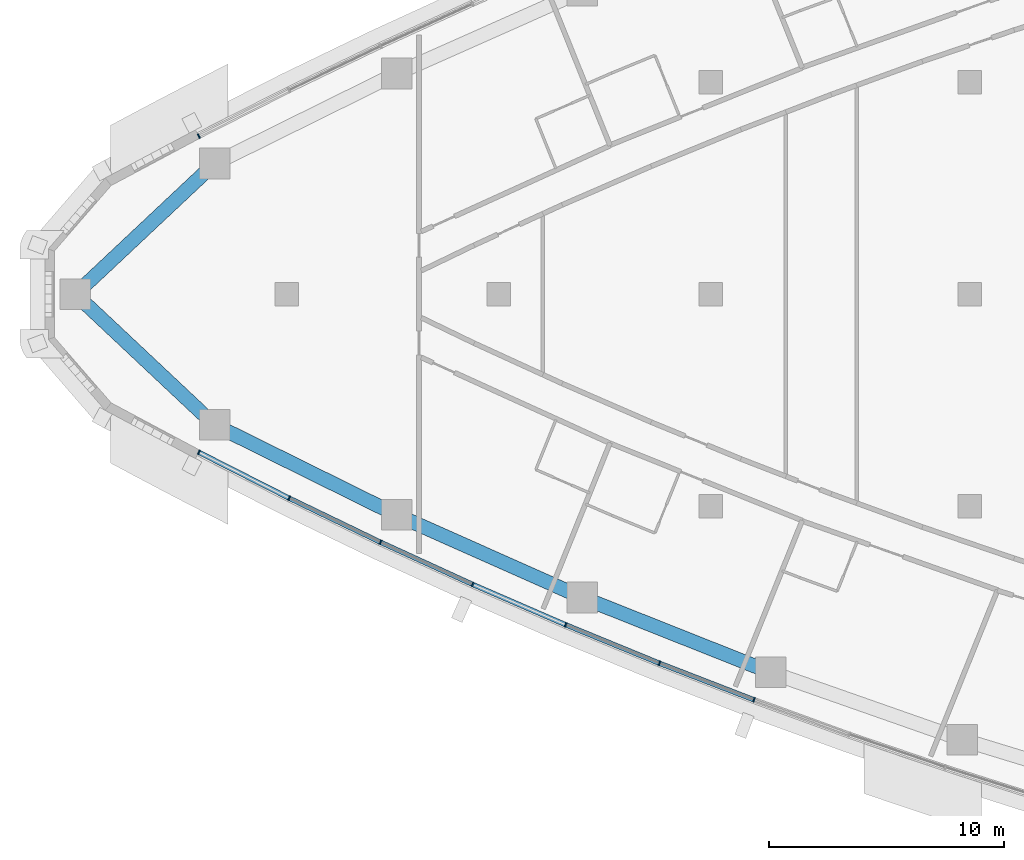
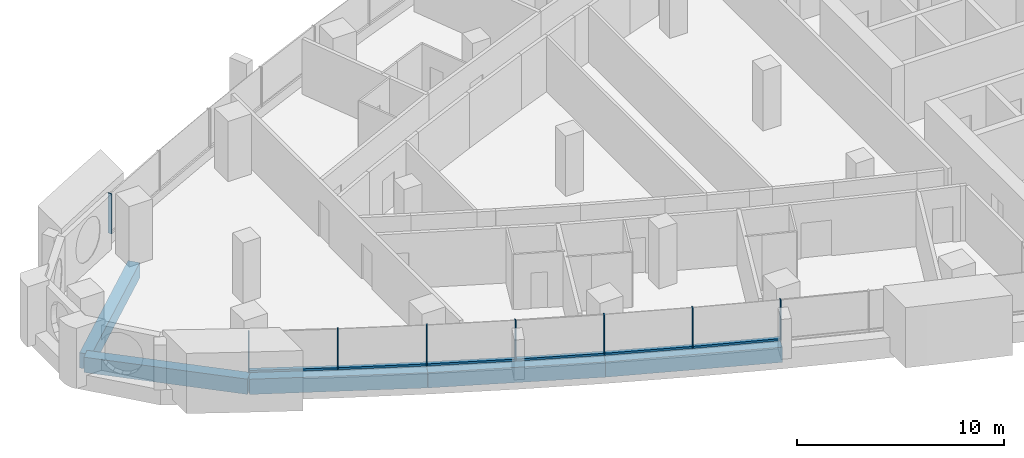
# One storey, part 2 of 17: 14 members, 5 beams, 4 elements without a shape of their own.
"""IFC4 building model written with IfcOpenShell, lengths in metres."""

from ifc_helpers import new_model, si_unit, direction, frame, origin, origin_2d, place, context, subcontext, project, spatial, rectangle, extrude, material, layer, layer_set, material_profile, profile_set, type_object, element, aggregate, save


model = new_model("IFC4")

# Units and contexts
model_context = context("Model", 3, precision=1e-05, world=origin(), true_north=direction((0.0, 1.0)))
body_context = subcontext(model_context, "Body", "Model", "MODEL_VIEW")
ifc_project = project(units=[si_unit("LENGTHUNIT", "METRE"), si_unit("AREAUNIT", "SQUARE_METRE"), si_unit("VOLUMEUNIT", "CUBIC_METRE"), si_unit("PLANEANGLEUNIT", "RADIAN"), si_unit("MASSUNIT", "GRAM", prefix="KILO")], contexts=[model_context])

# Site, building, storey
site_placement = place(None, origin())
site = spatial("IfcSite", under=ifc_project, at=site_placement, CompositionType="ELEMENT")
building_placement = place(site_placement, origin())
building = spatial("IfcBuilding", under=site, at=building_placement, Name="Ostrand Prow Hotel Tower", CompositionType="ELEMENT")
storey_placement = place(building_placement, frame((0.0, 0.0, 196.800048828125)))
storey = spatial("IfcBuildingStorey", under=building, at=storey_placement, Name="L49", CompositionType="ELEMENT", Elevation=196.800048828125)

# Beams
ifc_material_1 = material(Name="Concrete C60/75", Category="concrete")
ifc_material_profile_1 = material_profile(ifc_material_1, rectangle(XDim=0.60009765625, YDim=0.89990234375, at=origin_2d()), Name="RC 600x900")
ifc_profile_set_1 = profile_set([ifc_material_profile_1], Name="Concrete C60/75")
beam_type = type_object("IfcBeamType", Name="Edge beam 600x900 C60/75", PredefinedType="SPANDREL", material=ifc_profile_set_1)
beam_1_placement = place(storey_placement, frame((7.01708984375, 0.0, -0.75), z_axis=(0.728960507808, -0.684555752336, 0.0), x_axis=(0.684555752336, 0.728960507808, 0.0)))
element("IfcBeam", 1, at=beam_1_placement, inside=storey, type_object=beam_type, Name="Edge beam P-S1", PredefinedType="SPANDREL", context=body_context, shape_type="SweptSolid", body=[
    extrude(rectangle(XDim=0.60009765625, YDim=0.89990234375, at=origin_2d()), origin(), (0.0, 0.0, 1.0), 8.109619140625),
])
beam_2_placement = place(storey_placement, frame((12.9287109375, -5.551513671875, -0.75), z_axis=(0.896383774903, -0.443278837856, 0.0), x_axis=(0.443278837856, 0.896383774903, 0.0)))
element("IfcBeam", 2, at=beam_2_placement, inside=storey, type_object=beam_type, Name="Edge beam S1-S2", PredefinedType="SPANDREL", context=body_context, shape_type="SweptSolid", body=[
    extrude(rectangle(XDim=0.60009765625, YDim=0.89990234375, at=origin_2d()), origin(), (0.0, 0.0, 1.0), 8.62158203125),
])
for number, where, z_axis, x_axis, name in (
    (3, (20.656982421875, -9.373291015625, -0.75), (0.91364332073, -0.406516767779, 0.0), (0.406516767779, 0.91364332073, 0.0), "Edge beam S2-S3"),
    (4, (28.5341796875, -12.878173828125, -0.75), (0.929376173753, -0.36913402398, 0.0), (0.36913402398, 0.929376173753, 0.0), "Edge beam S3-S4"),
):
    element("IfcBeam", number, at=place(storey_placement, frame(where, z_axis=z_axis, x_axis=x_axis)), inside=storey, type_object=beam_type, Name=name, PredefinedType="SPANDREL", context=body_context, shape_type="SweptSolid", body=[
        extrude(rectangle(XDim=0.60009765625, YDim=0.89990234375, at=origin_2d()), origin(), (0.0, 0.0, 1.0), 8.621826171875),
    ])
beam_3_placement = place(storey_placement, frame((12.9287109375, 5.551513671875, -0.75), z_axis=(-0.728960507808, -0.684555752336, 0.0), x_axis=(0.684555752336, -0.728960507808, 0.0)))
element("IfcBeam", 5, at=beam_3_placement, inside=storey, type_object=beam_type, Name="Edge beam N6-P", PredefinedType="SPANDREL", context=body_context, shape_type="SweptSolid", body=[
    extrude(rectangle(XDim=0.60009765625, YDim=0.89990234375, at=origin_2d()), origin(), (0.0, 0.0, 1.0), 8.109619140625),
])

# Curtain wall, members
ifc_material_2 = material(Name="Insulated glass in bronze anodised frame", Category="glass")
ifc_layer = layer(ifc_material_2, 0.199951171875)
ifc_layer_set = layer_set([ifc_layer], Name="Insulated glass in bronze anodised frame")
curtain_wall_type = type_object("IfcCurtainWallType", Name="Strip curtain wall, fritted glass over bronze spandrel", PredefinedType="NOTDEFINED", material=ifc_layer_set)
curtain_wall_1_placement = place(storey_placement, origin())
curtain_wall_1 = element("IfcCurtainWall", 6, at=curtain_wall_1_placement, inside=storey, type_object=curtain_wall_type, Name="CW1 run CWS1", PredefinedType="NOTDEFINED")
ifc_material_3 = material(Name="Bronze anodised aluminium", Category="aluminium")
ifc_material_profile_2 = material_profile(ifc_material_3, rectangle(XDim=0.199951171875, YDim=0.06005859375, at=origin_2d()), Name="Mullion 60x200 bronze anodised aluminium")
ifc_profile_set_2 = profile_set([ifc_material_profile_2], Name="Bronze anodised aluminium")
member_type_1 = type_object("IfcMemberType", Name="Mullion 60x200 bronze anodised aluminium", PredefinedType="MULLION", material=ifc_profile_set_2)
member_1_placement = place(storey_placement, frame((12.255859375, -6.71240234375, 0.89990234375), z_axis=(0.0, 0.0, 1.0), x_axis=(0.452658828186, 0.891683792196, 0.0)))
member_1 = element("IfcMember", 7, at=member_1_placement, type_object=member_type_1, Name="CW1 mullion 1", PredefinedType="MULLION", context=body_context, shape_type="SweptSolid", body=[
    extrude(rectangle(XDim=0.199951171875, YDim=0.06005859375, at=origin_2d()), origin(), (0.0, 0.0, 1.0), 2.35009765625),
])
member_2_placement = place(storey_placement, frame((16.0947265625, -8.660888671875, 0.89990234375), z_axis=(0.0, 0.0, 1.0), x_axis=(0.434615027304, 0.90061633232, 0.0)))
member_2 = element("IfcMember", 8, at=member_2_placement, type_object=member_type_1, Name="CW1 mullion 2", PredefinedType="MULLION", context=body_context, shape_type="SweptSolid", body=[
    extrude(rectangle(XDim=0.199951171875, YDim=0.06005859375, at=origin_2d()), origin(), (0.0, 0.0, 1.0), 2.35009765625),
])
member_3_placement = place(storey_placement, frame((19.971923828125, -10.531982421875, 0.89990234375), z_axis=(0.0, 0.0, 1.0), x_axis=(0.434615027304, 0.90061633232, 0.0)))
member_3 = element("IfcMember", 9, at=member_3_placement, type_object=member_type_1, Name="CW1 mullion 3", PredefinedType="MULLION", context=body_context, shape_type="SweptSolid", body=[
    extrude(rectangle(XDim=0.199951171875, YDim=0.06005859375, at=origin_2d()), origin(), (0.0, 0.0, 1.0), 2.35009765625),
])

curtain_wall_2_placement = place(storey_placement, origin())
curtain_wall_2 = element("IfcCurtainWall", 10, at=curtain_wall_2_placement, inside=storey, type_object=curtain_wall_type, Name="CW1 run CWS2", PredefinedType="NOTDEFINED")
member_4_placement = place(storey_placement, frame((23.885986328125, -12.32470703125, 0.89990234375), z_axis=(0.0, 0.0, 1.0), x_axis=(0.398004671812, 0.917383388347, 0.0)))
member_4 = element("IfcMember", 11, at=member_4_placement, type_object=member_type_1, Name="CW1 mullion 2", PredefinedType="MULLION", context=body_context, shape_type="SweptSolid", body=[
    extrude(rectangle(XDim=0.199951171875, YDim=0.06005859375, at=origin_2d()), origin(), (0.0, 0.0, 1.0), 2.35009765625),
])
member_5_placement = place(storey_placement, frame((27.83544921875, -14.0380859375, 0.89990234375), z_axis=(0.0, 0.0, 1.0), x_axis=(0.398004671812, 0.917383388347, 0.0)))
member_5 = element("IfcMember", 12, at=member_5_placement, type_object=member_type_1, Name="CW1 mullion 3", PredefinedType="MULLION", context=body_context, shape_type="SweptSolid", body=[
    extrude(rectangle(XDim=0.199951171875, YDim=0.06005859375, at=origin_2d()), origin(), (0.0, 0.0, 1.0), 2.35009765625),
])

curtain_wall_3_placement = place(storey_placement, origin())
curtain_wall_3 = element("IfcCurtainWall", 13, at=curtain_wall_3_placement, inside=storey, type_object=curtain_wall_type, Name="CW1 run CWS3", PredefinedType="NOTDEFINED")
member_6_placement = place(storey_placement, frame((31.818603515625, -15.671630859375, 0.89990234375), z_axis=(0.0, 0.0, 1.0), x_axis=(0.360748970732, 0.932662950972, 0.0)))
member_6 = element("IfcMember", 14, at=member_6_placement, type_object=member_type_1, Name="CW1 mullion 2", PredefinedType="MULLION", context=body_context, shape_type="SweptSolid", body=[
    extrude(rectangle(XDim=0.199951171875, YDim=0.06005859375, at=origin_2d()), origin(), (0.0, 0.0, 1.0), 2.35009765625),
])
member_7_placement = place(storey_placement, frame((35.833740234375, -17.224609375, 0.89990234375), z_axis=(0.0, 0.0, 1.0), x_axis=(0.360748970732, 0.932662950972, 0.0)))
member_7 = element("IfcMember", 15, at=member_7_placement, type_object=member_type_1, Name="CW1 mullion 3", PredefinedType="MULLION", context=body_context, shape_type="SweptSolid", body=[
    extrude(rectangle(XDim=0.199951171875, YDim=0.06005859375, at=origin_2d()), origin(), (0.0, 0.0, 1.0), 2.35009765625),
])

# Curtain wall, member
curtain_wall_4_placement = place(storey_placement, origin())
curtain_wall_4 = element("IfcCurtainWall", 16, at=curtain_wall_4_placement, inside=storey, type_object=curtain_wall_type, Name="CW1 run CWN5", PredefinedType="NOTDEFINED")
member_8_placement = place(storey_placement, frame((12.255859375, 6.71240234375, 0.89990234375), z_axis=(0.0, 0.0, 1.0), x_axis=(0.452658828186, -0.891683792196, 0.0)))
member_8 = element("IfcMember", 17, at=member_8_placement, type_object=member_type_1, Name="CW1 mullion 3", PredefinedType="MULLION", context=body_context, shape_type="SweptSolid", body=[
    extrude(rectangle(XDim=0.199951171875, YDim=0.06005859375, at=origin_2d()), origin(), (0.0, 0.0, 1.0), 2.35009765625),
])
aggregate(curtain_wall_4, [member_8])

# Member
ifc_material_4 = material(Name="Bronze anodised aluminium", Category="aluminium")
ifc_material_profile_3 = material_profile(ifc_material_4, rectangle(XDim=0.199951171875, YDim=0.1201171875, at=origin_2d()), Name="Transom 120x200 bronze anodised aluminium")
ifc_profile_set_3 = profile_set([ifc_material_profile_3], Name="Bronze anodised aluminium")
member_type_2 = type_object("IfcMemberType", Name="Transom 120x200 bronze anodised aluminium", PredefinedType="USERDEFINED", material=ifc_profile_set_3)
member_9_placement = place(storey_placement, frame((12.28271484375, -6.725830078125, 0.9599609375), z_axis=(0.891672840777, -0.452680400526, 0.0), x_axis=(0.452680400526, 0.891672840777, 0.0)))
member_9 = element("IfcMember", 18, at=member_9_placement, type_object=member_type_2, Name="CW1 transom 1.1", ObjectType="TRANSOM", PredefinedType="USERDEFINED", context=body_context, shape_type="SweptSolid", body=[
    extrude(rectangle(XDim=0.199951171875, YDim=0.1201171875, at=origin_2d()), origin(), (0.0, 0.0, 1.0), 4.2451171875),
])

member_10_placement = place(storey_placement, frame((16.12158203125, -8.674072265625, 0.9599609375), z_axis=(0.900619174345, -0.434609137965, 0.0), x_axis=(0.434609137965, 0.900619174345, 0.0)))
member_10 = element("IfcMember", 19, at=member_10_placement, type_object=member_type_2, Name="CW1 transom 2.1", ObjectType="TRANSOM", PredefinedType="USERDEFINED", context=body_context, shape_type="SweptSolid", body=[
    extrude(rectangle(XDim=0.199951171875, YDim=0.1201171875, at=origin_2d()), origin(), (0.0, 0.0, 1.0), 4.2451171875),
])

aggregate(curtain_wall_1, [member_1, member_2, member_3, member_9, member_10])

member_11_placement = place(storey_placement, frame((19.999267578125, -10.54443359375, 0.9599609375), z_axis=(0.909159196143, -0.416448743628, 0.0), x_axis=(0.416448743628, 0.909159196143, 0.0)))
member_11 = element("IfcMember", 20, at=member_11_placement, type_object=member_type_2, Name="CW1 transom 1.1", ObjectType="TRANSOM", PredefinedType="USERDEFINED", context=body_context, shape_type="SweptSolid", body=[
    extrude(rectangle(XDim=0.199951171875, YDim=0.1201171875, at=origin_2d()), origin(), (0.0, 0.0, 1.0), 4.244873046875),
])

member_12_placement = place(storey_placement, frame((23.91357421875, -12.336669921875, 0.9599609375), z_axis=(0.917389785482, -0.397989926371, 0.0), x_axis=(0.397989926371, 0.917389785482, 0.0)))
member_12 = element("IfcMember", 21, at=member_12_placement, type_object=member_type_2, Name="CW1 transom 2.1", ObjectType="TRANSOM", PredefinedType="USERDEFINED", context=body_context, shape_type="SweptSolid", body=[
    extrude(rectangle(XDim=0.199951171875, YDim=0.1201171875, at=origin_2d()), origin(), (0.0, 0.0, 1.0), 4.244873046875),
])

aggregate(curtain_wall_2, [member_4, member_5, member_11, member_12])

member_13_placement = place(storey_placement, frame((27.863037109375, -14.049560546875, 0.9599609375), z_axis=(0.925213143858, -0.379447807258, 0.0), x_axis=(0.379447807258, 0.925213143858, 0.0)))
member_13 = element("IfcMember", 22, at=member_13_placement, type_object=member_type_2, Name="CW1 transom 1.1", ObjectType="TRANSOM", PredefinedType="USERDEFINED", context=body_context, shape_type="SweptSolid", body=[
    extrude(rectangle(XDim=0.199951171875, YDim=0.1201171875, at=origin_2d()), origin(), (0.0, 0.0, 1.0), 4.2451171875),
])

member_14_placement = place(storey_placement, frame((31.846435546875, -15.6826171875, 0.9599609375), z_axis=(0.932675482501, -0.360716570651, 0.0), x_axis=(0.360716570651, 0.932675482501, 0.0)))
member_14 = element("IfcMember", 23, at=member_14_placement, type_object=member_type_2, Name="CW1 transom 2.1", ObjectType="TRANSOM", PredefinedType="USERDEFINED", context=body_context, shape_type="SweptSolid", body=[
    extrude(rectangle(XDim=0.199951171875, YDim=0.1201171875, at=origin_2d()), origin(), (0.0, 0.0, 1.0), 4.2451171875),
])

aggregate(curtain_wall_3, [member_6, member_7, member_13, member_14])

save(model, "model.ifc")
